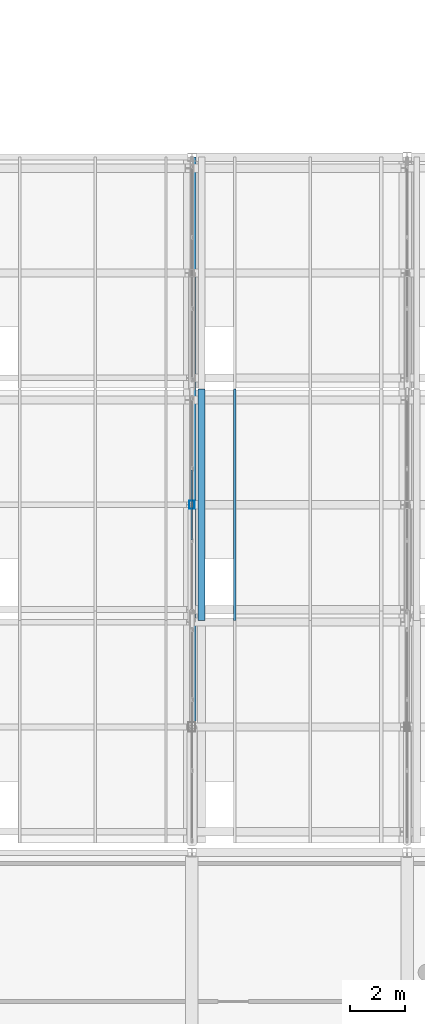
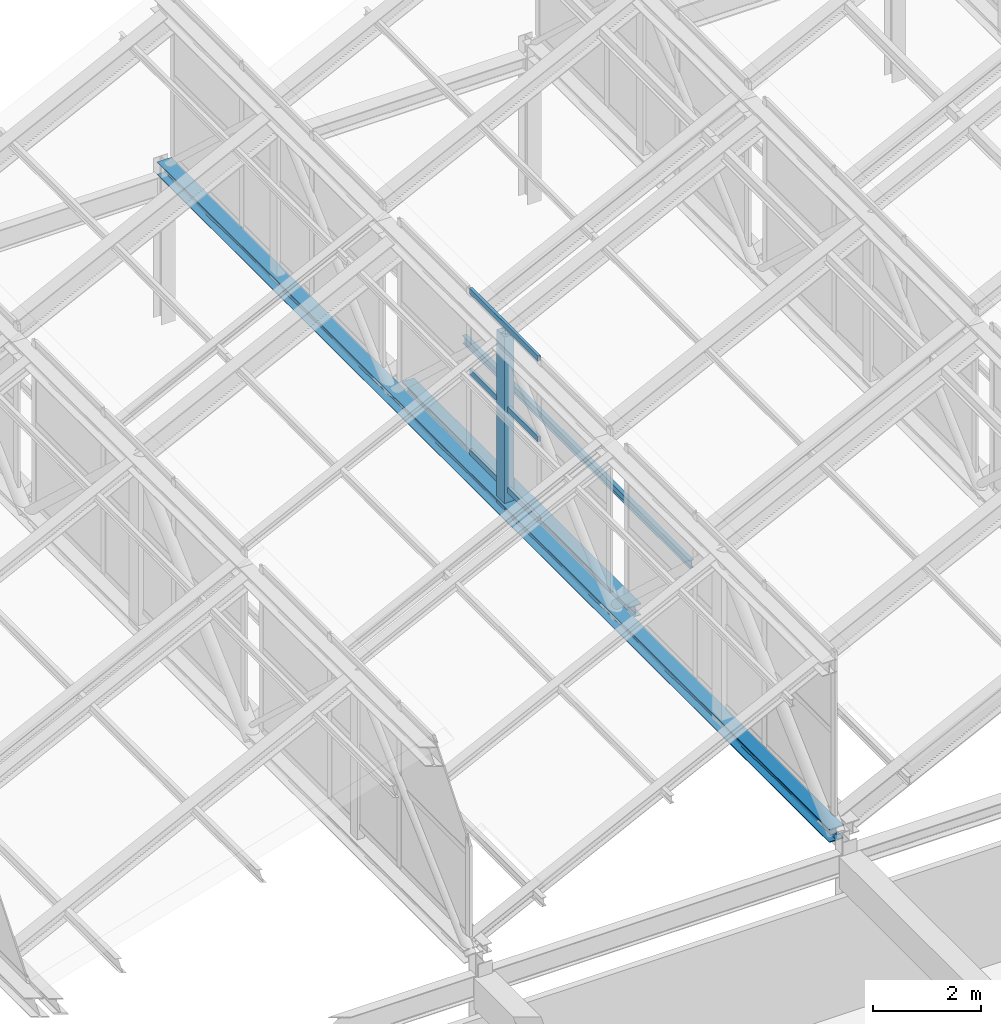
# One storey, part 31 of 101: 7 members, 1 element without a shape of its own.
"""IFC4 building model written with IfcOpenShell, lengths in metres."""

from ifc_helpers import new_model, si_unit, direction, frame, origin, origin_2d, place, context, subcontext, project, spatial, hollow_rectangle, i_section, extrude, material, layer, layer_set, material_profile, profile_set, type_object, element, aggregate, save


model = new_model("IFC4")

# Units and contexts
model_context = context("Model", 3, precision=1e-05, world=origin(), true_north=direction((0.0, 1.0)))
body_context = subcontext(model_context, "Body", "Model", "MODEL_VIEW")
ifc_project = project(units=[si_unit("LENGTHUNIT", "METRE"), si_unit("AREAUNIT", "SQUARE_METRE"), si_unit("VOLUMEUNIT", "CUBIC_METRE"), si_unit("PLANEANGLEUNIT", "RADIAN"), si_unit("MASSUNIT", "GRAM", prefix="KILO")], contexts=[model_context])

# Site, building, storey
site_placement = place(None, origin())
site = spatial("IfcSite", under=ifc_project, at=site_placement, CompositionType="ELEMENT")
building_placement = place(site_placement, origin())
building = spatial("IfcBuilding", under=site, at=building_placement, Name="Zizhar Promenade General Hospital", CompositionType="ELEMENT")
storey_placement = place(building_placement, frame((0.0, 0.0, 14.39990234375)))
storey = spatial("IfcBuildingStorey", under=building, at=storey_placement, Name="L03", CompositionType="ELEMENT", Elevation=14.39990234375)

# Curtain wall, members
ifc_material_1 = material(Name="Anodised aluminium 6063-T6 and low-E glass", Category="aluminium")
ifc_layer = layer(ifc_material_1, 0.159912109375)
ifc_layer_set = layer_set([ifc_layer], Name="Anodised aluminium 6063-T6 and low-E glass")
curtain_wall_type = type_object("IfcCurtainWallType", Name="CW-SAW-NL2", PredefinedType="NOTDEFINED", material=ifc_layer_set)
curtain_wall_placement = place(storey_placement, origin())
curtain_wall = element("IfcCurtainWall", 1, at=curtain_wall_placement, inside=storey, type_object=curtain_wall_type, Name="Sawtooth Clerestory Light B4-S2", PredefinedType="NOTDEFINED")
ifc_material_2 = material(Name="Anodised aluminium 6063-T6", Category="aluminium")
ifc_material_profile_1 = material_profile(ifc_material_2, hollow_rectangle(XDim=0.06005859375, YDim=0.1201171875, WallThickness=0.00390625, at=origin_2d()))
ifc_profile_set_1 = profile_set([ifc_material_profile_1], Name="Anodised aluminium 6063-T6")
member_type_1 = type_object("IfcMemberType", Name="CWT-ALU-120x60", PredefinedType="USERDEFINED", material=ifc_profile_set_1)
member_1_placement = place(storey_placement, frame((101.39990234375, 36.530029296875, 3.880126953125), z_axis=(0.0, 1.0, 0.0), x_axis=(-1.0, 0.0, 0.0)))
member_1 = element("IfcMember", 2, at=member_1_placement, type_object=member_type_1, Name="CW-04 transom 2.1", ObjectType="TRANSOM", PredefinedType="USERDEFINED", context=body_context, shape_type="SweptSolid", body=[
    extrude(hollow_rectangle(XDim=0.06005859375, YDim=0.1201171875, WallThickness=0.00390625, at=origin_2d()), origin(), (0.0, 0.0, 1.0), 2.5400390625),
])
member_2_placement = place(storey_placement, frame((101.39990234375, 36.530029296875, 5.7001953125), z_axis=(0.0, 1.0, 0.0), x_axis=(-1.0, 0.0, 0.0)))
member_2 = element("IfcMember", 3, at=member_2_placement, type_object=member_type_1, Name="CW-04 transom 2.2", ObjectType="TRANSOM", PredefinedType="USERDEFINED", context=body_context, shape_type="SweptSolid", body=[
    extrude(hollow_rectangle(XDim=0.06005859375, YDim=0.1201171875, WallThickness=0.00390625, at=origin_2d()), origin(), (0.0, 0.0, 1.0), 2.5400390625),
])
member_3_placement = place(storey_placement, frame((101.39990234375, 36.530029296875, 7.52001953125), z_axis=(0.0, 1.0, 0.0), x_axis=(-1.0, 0.0, 0.0)))
member_3 = element("IfcMember", 4, at=member_3_placement, type_object=member_type_1, Name="CW-04 transom 2.3", ObjectType="TRANSOM", PredefinedType="USERDEFINED", context=body_context, shape_type="SweptSolid", body=[
    extrude(hollow_rectangle(XDim=0.06005859375, YDim=0.1201171875, WallThickness=0.00390625, at=origin_2d()), origin(), (0.0, 0.0, 1.0), 2.5400390625),
])
aggregate(curtain_wall, [member_1, member_2, member_3])

# Members
ifc_material_3 = material(Name="Steel S355", Category="steel")
ifc_material_profile_2 = material_profile(ifc_material_3, i_section(OverallWidth=0.260009765625, OverallDepth=0.260009765625, WebThickness=0.010009765625, FlangeThickness=0.017578125, FilletRadius=0.02392578125, at=origin_2d()))
ifc_profile_set_2 = profile_set([ifc_material_profile_2], Name="Steel S355")
member_type_2 = type_object("IfcMemberType", Name="MEM-CHORD-HEB260", PredefinedType="CHORD", material=ifc_profile_set_2)
member_4_placement = place(storey_placement, frame((101.75, 33.60009765625, 3.47021484375), z_axis=(0.0, 1.0, 0.0), x_axis=(-1.0, 0.0, 0.0)))
element("IfcMember", 5, at=member_4_placement, inside=storey, type_object=member_type_2, Name="Sawtooth Bay 5 Valley Tie 2", PredefinedType="CHORD", context=body_context, shape_type="SweptSolid", body=[
    extrude(i_section(OverallWidth=0.260009765625, OverallDepth=0.260009765625, WebThickness=0.010009765625, FlangeThickness=0.017578125, FilletRadius=0.02392578125, at=origin_2d()), origin(), (0.0, 0.0, 1.0), 8.39990234375),
])
ifc_material_4 = material(Name="Steel S355", Category="steel")
ifc_material_profile_3 = material_profile(ifc_material_4, i_section(OverallWidth=0.300048828125, OverallDepth=0.300048828125, WebThickness=0.010986328125, FlangeThickness=0.01904296875, FilletRadius=0.027099609375, at=origin_2d()))
ifc_profile_set_3 = profile_set([ifc_material_profile_3], Name="Steel S355")
member_type_3 = type_object("IfcMemberType", Name="MEM-CHORD-HEB300", PredefinedType="CHORD", material=ifc_profile_set_3)
member_5_placement = place(storey_placement, frame((101.39990234375, 25.550048828125, 3.4501953125), z_axis=(0.0, 1.0, 0.0), x_axis=(-1.0, 0.0, 0.0)))
element("IfcMember", 6, at=member_5_placement, inside=storey, type_object=member_type_3, Name="Sawtooth Truss Frame 5 Bottom Chord", PredefinedType="CHORD", context=body_context, shape_type="SweptSolid", body=[
    extrude(i_section(OverallWidth=0.300048828125, OverallDepth=0.300048828125, WebThickness=0.010986328125, FlangeThickness=0.01904296875, FilletRadius=0.027099609375, at=origin_2d()), origin(), (0.0, 0.0, 1.0), 24.849853515625),
])
ifc_material_5 = material(Name="Steel S355", Category="steel")
ifc_material_profile_4 = material_profile(ifc_material_5, i_section(OverallWidth=0.091064453125, OverallDepth=0.179931640625, WebThickness=0.00537109375, FlangeThickness=0.008056640625, FilletRadius=0.009033203125, at=origin_2d()))
ifc_profile_set_4 = profile_set([ifc_material_profile_4], Name="Steel S355")
member_type_4 = type_object("IfcMemberType", Name="MEM-PURL-IPE180", PredefinedType="PURLIN", material=ifc_profile_set_4)
member_6_placement = place(storey_placement, frame((102.9599609375, 33.60009765625, 4.107177734375), z_axis=(0.0, 1.0, 0.0), x_axis=(-1.0, 0.0, 0.0)))
element("IfcMember", 7, at=member_6_placement, inside=storey, type_object=member_type_4, Name="Sawtooth Bay 5 Purlin 2-1", PredefinedType="PURLIN", context=body_context, shape_type="SweptSolid", body=[
    extrude(i_section(OverallWidth=0.091064453125, OverallDepth=0.179931640625, WebThickness=0.00537109375, FlangeThickness=0.008056640625, FilletRadius=0.009033203125, at=origin_2d()), origin(), (0.0, 0.0, 1.0), 8.39990234375),
])
ifc_material_6 = material(Name="Steel S355", Category="steel")
ifc_material_profile_5 = material_profile(ifc_material_6, hollow_rectangle(XDim=0.199951171875, YDim=0.300048828125, WallThickness=0.010009765625, at=origin_2d()))
ifc_profile_set_5 = profile_set([ifc_material_profile_5], Name="Steel S355")
member_type_5 = type_object("IfcMemberType", Name="MEM-STRUT-RHS300", PredefinedType="STRUT", material=ifc_profile_set_5)
member_7_placement = place(storey_placement, frame((101.39990234375, 37.800048828125, 3.4501953125), z_axis=(0.0, 0.0, 1.0), x_axis=(1.0, 0.0, 0.0)))
element("IfcMember", 8, at=member_7_placement, inside=storey, type_object=member_type_5, Name="Sawtooth Truss Frame 5 Vertical Post 2", PredefinedType="STRUT", context=body_context, shape_type="SweptSolid", body=[
    extrude(hollow_rectangle(XDim=0.199951171875, YDim=0.300048828125, WallThickness=0.010009765625, at=origin_2d()), origin(), (0.0, 0.0, 1.0), 3.89990234375),
])

save(model, "model.ifc")
